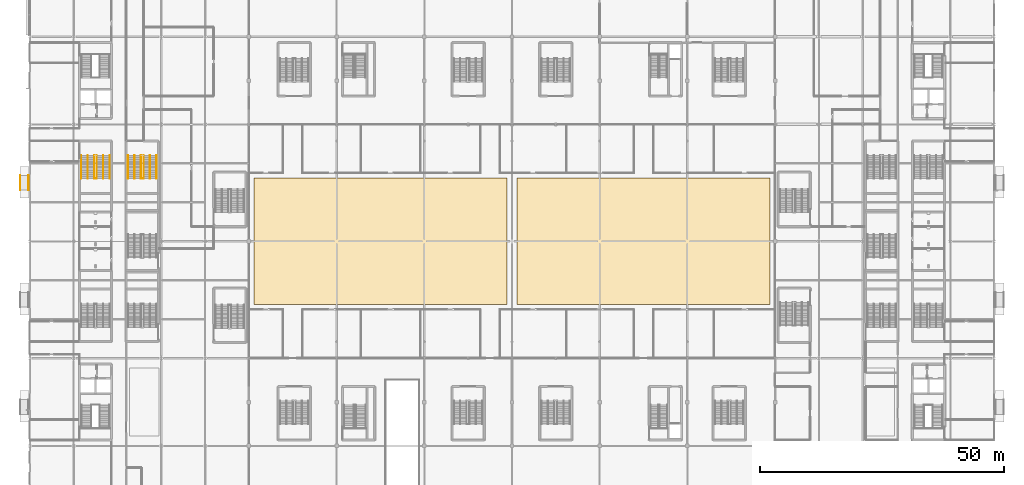
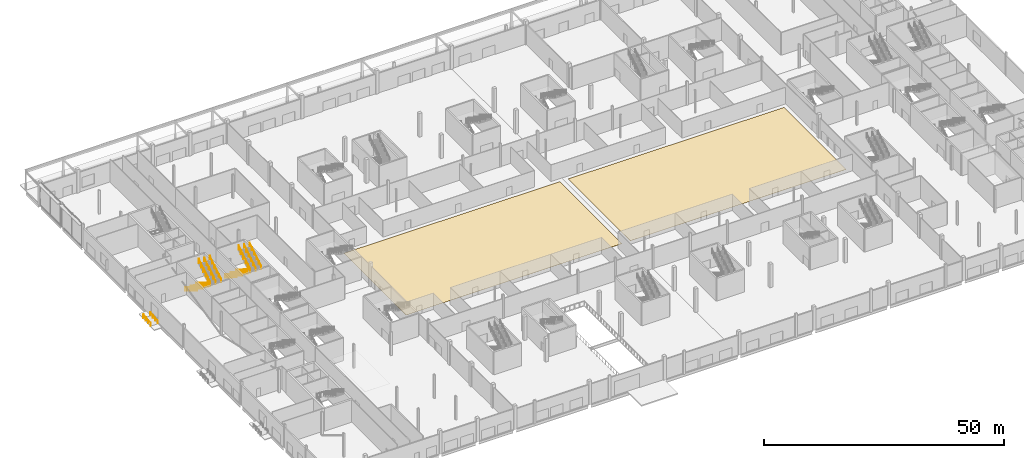
# One storey, part 72 of 84: 12 railings, 2 coverings.
"""IFC4 building model written with IfcOpenShell, lengths in metres."""

from ifc_helpers import new_model, si_unit, direction, frame, origin, origin_2d, place, context, subcontext, project, spatial, polyline, circle, outline, extrude, material, layer, layer_set, type_object, element, save


model = new_model("IFC4")

# Units and contexts
model_context = context("Model", 3, precision=1e-05, world=origin(), true_north=direction((0.0, 1.0)))
body_context = subcontext(model_context, "Body", "Model", "MODEL_VIEW")
ifc_project = project(units=[si_unit("LENGTHUNIT", "METRE"), si_unit("AREAUNIT", "SQUARE_METRE"), si_unit("VOLUMEUNIT", "CUBIC_METRE"), si_unit("PLANEANGLEUNIT", "RADIAN"), si_unit("MASSUNIT", "GRAM", prefix="KILO")], contexts=[model_context])

# Site, building, storey
site_placement = place(None, origin())
site = spatial("IfcSite", under=ifc_project, at=site_placement, CompositionType="ELEMENT")
building_placement = place(site_placement, origin())
building = spatial("IfcBuilding", under=site, at=building_placement, Name="Kisiwana Market Hall", CompositionType="ELEMENT")
storey_placement = place(building_placement, origin())
storey = spatial("IfcBuildingStorey", under=building, at=storey_placement, Name="L00", CompositionType="ELEMENT", Elevation=0.0)

# Coverings
ifc_material_1 = material(Name="Polished washable terrazzo tile")
ifc_layer = layer(ifc_material_1, 0.02001953125)
ifc_layer_set = layer_set([ifc_layer], Name="COV-FLOOR-EPOXY")
covering_type = type_object("IfcCoveringType", Name="COV-FLOOR-EPOXY", PredefinedType="FLOORING", material=ifc_layer_set)
covering_1_placement = place(storey_placement, origin())
element("IfcCovering", 1, at=covering_1_placement, inside=storey, type_object=covering_type, Name="Washable terrazzo floor finish L00-006", PredefinedType="FLOORING", context=body_context, shape_type="SweptSolid", body=[
    extrude(outline(polyline([(46.0, 47.0), (98.0, 47.0), (98.0, 73.0), (46.0, 73.0), (46.0, 47.0)])), origin(), (0.0, 0.0, 1.0), 0.02001953125),
])
covering_2_placement = place(storey_placement, origin())
element("IfcCovering", 2, at=covering_2_placement, inside=storey, type_object=covering_type, Name="Washable terrazzo floor finish L00-007", PredefinedType="FLOORING", context=body_context, shape_type="SweptSolid", body=[
    extrude(outline(polyline([(100.0, 47.0), (152.0, 47.0), (152.0, 73.0), (100.0, 73.0), (100.0, 47.0)])), origin(), (0.0, 0.0, 1.0), 0.02001953125),
])

# Railings
ifc_material_2 = material(Name="Steel S275", Category="steel")
railing_type_1 = type_object("IfcRailingType", Name="RL-GUARD-1100", PredefinedType="GUARDRAIL", material=ifc_material_2)
railing_1_placement = place(storey_placement, frame((13.219970703125, 77.639892578125, 0.0)))
element("IfcRailing", 3, at=railing_1_placement, inside=storey, type_object=railing_type_1, Name="Stair ST-W4-L00 inner-well guardrail (RL-185)", PredefinedType="GUARDRAIL", context=body_context, shape_type="SweptSolid", body=[
    extrude(circle(Radius=0.02392578125, at=origin_2d()), frame((0.0, 0.0, 1.076171875), z_axis=(0.0, -0.845995810448, 0.533189542944), x_axis=(1.0, 0.0, 0.0)), (0.0, 0.0, 1.0), 5.62646484375),
    extrude(circle(Radius=0.02392578125, at=origin_2d()), frame((0.0, -4.760009765625, 4.076171875), z_axis=(1.0, 0.0, 0.0), x_axis=(0.0, 1.0, 0.0)), (0.0, 0.0, 1.0), 0.56005859375),
    extrude(circle(Radius=0.02392578125, at=origin_2d()), frame((0.56005859375, -4.760009765625, 4.076171875), z_axis=(0.0, 0.845995810448, 0.533189542944), x_axis=(-1.0, 0.0, 0.0)), (0.0, 0.0, 1.0), 5.62646484375),
    extrude(circle(Radius=0.02099609375, at=origin_2d()), origin(), (0.0, 0.0, 1.0), 1.052001953125),
    extrude(circle(Radius=0.02099609375, at=origin_2d()), frame((0.0, -0.951904296875, 0.60009765625)), (0.0, 0.0, 1.0), 1.052001953125),
    extrude(circle(Radius=0.02099609375, at=origin_2d()), frame((0.0, -1.904052734375, 1.199951171875)), (0.0, 0.0, 1.0), 1.052001953125),
    extrude(circle(Radius=0.02099609375, at=origin_2d()), frame((0.0, -2.85595703125, 1.800048828125)), (0.0, 0.0, 1.0), 1.052001953125),
    extrude(circle(Radius=0.02099609375, at=origin_2d()), frame((0.0, -3.80810546875, 2.39990234375)), (0.0, 0.0, 1.0), 1.052001953125),
    extrude(circle(Radius=0.02099609375, at=origin_2d()), frame((0.0, -4.760009765625, 3.0)), (0.0, 0.0, 1.0), 1.052001953125),
    extrude(circle(Radius=0.02099609375, at=origin_2d()), frame((0.56005859375, -4.760009765625, 3.0)), (0.0, 0.0, 1.0), 1.052001953125),
    extrude(circle(Radius=0.02099609375, at=origin_2d()), frame((0.56005859375, -3.80810546875, 3.60009765625)), (0.0, 0.0, 1.0), 1.052001953125),
    extrude(circle(Radius=0.02099609375, at=origin_2d()), frame((0.56005859375, -2.85595703125, 4.199951171875)), (0.0, 0.0, 1.0), 1.052001953125),
    extrude(circle(Radius=0.02099609375, at=origin_2d()), frame((0.56005859375, -1.904052734375, 4.800048828125)), (0.0, 0.0, 1.0), 1.052001953125),
    extrude(circle(Radius=0.02099609375, at=origin_2d()), frame((0.56005859375, -0.951904296875, 5.39990234375)), (0.0, 0.0, 1.0), 1.052001953125),
    extrude(circle(Radius=0.02099609375, at=origin_2d()), frame((0.56005859375, 0.0, 6.0)), (0.0, 0.0, 1.0), 1.052001953125),
])
railing_2_placement = place(storey_placement, frame((22.820068359375, 77.639892578125, 0.0)))
element("IfcRailing", 4, at=railing_2_placement, inside=storey, type_object=railing_type_1, Name="Stair ST-W8-L00 inner-well guardrail (RL-215)", PredefinedType="GUARDRAIL", context=body_context, shape_type="SweptSolid", body=[
    extrude(circle(Radius=0.02392578125, at=origin_2d()), frame((0.0, 0.0, 1.076171875), z_axis=(0.0, -0.845995810448, 0.533189542944), x_axis=(1.0, 0.0, 0.0)), (0.0, 0.0, 1.0), 5.62646484375),
    extrude(circle(Radius=0.02392578125, at=origin_2d()), frame((0.0, -4.760009765625, 4.076171875), z_axis=(1.0, 0.0, 0.0), x_axis=(0.0, 1.0, 0.0)), (0.0, 0.0, 1.0), 0.559814453125),
    extrude(circle(Radius=0.02392578125, at=origin_2d()), frame((0.559814453125, -4.760009765625, 4.076171875), z_axis=(0.0, 0.845995810448, 0.533189542944), x_axis=(-1.0, 0.0, 0.0)), (0.0, 0.0, 1.0), 5.62646484375),
    extrude(circle(Radius=0.02099609375, at=origin_2d()), origin(), (0.0, 0.0, 1.0), 1.052001953125),
    extrude(circle(Radius=0.02099609375, at=origin_2d()), frame((0.0, -0.951904296875, 0.60009765625)), (0.0, 0.0, 1.0), 1.052001953125),
    extrude(circle(Radius=0.02099609375, at=origin_2d()), frame((0.0, -1.904052734375, 1.199951171875)), (0.0, 0.0, 1.0), 1.052001953125),
    extrude(circle(Radius=0.02099609375, at=origin_2d()), frame((0.0, -2.85595703125, 1.800048828125)), (0.0, 0.0, 1.0), 1.052001953125),
    extrude(circle(Radius=0.02099609375, at=origin_2d()), frame((0.0, -3.80810546875, 2.39990234375)), (0.0, 0.0, 1.0), 1.052001953125),
    extrude(circle(Radius=0.02099609375, at=origin_2d()), frame((0.0, -4.760009765625, 3.0)), (0.0, 0.0, 1.0), 1.052001953125),
    extrude(circle(Radius=0.02099609375, at=origin_2d()), frame((0.559814453125, -4.760009765625, 3.0)), (0.0, 0.0, 1.0), 1.052001953125),
    extrude(circle(Radius=0.02099609375, at=origin_2d()), frame((0.559814453125, -3.80810546875, 3.60009765625)), (0.0, 0.0, 1.0), 1.052001953125),
    extrude(circle(Radius=0.02099609375, at=origin_2d()), frame((0.559814453125, -2.85595703125, 4.199951171875)), (0.0, 0.0, 1.0), 1.052001953125),
    extrude(circle(Radius=0.02099609375, at=origin_2d()), frame((0.559814453125, -1.904052734375, 4.800048828125)), (0.0, 0.0, 1.0), 1.052001953125),
    extrude(circle(Radius=0.02099609375, at=origin_2d()), frame((0.559814453125, -0.951904296875, 5.39990234375)), (0.0, 0.0, 1.0), 1.052001953125),
    extrude(circle(Radius=0.02099609375, at=origin_2d()), frame((0.559814453125, 0.0, 6.0)), (0.0, 0.0, 1.0), 1.052001953125),
])
ifc_material_3 = material(Name="Steel S275", Category="steel")
railing_type_2 = type_object("IfcRailingType", Name="RL-HAND-900", PredefinedType="HANDRAIL", material=ifc_material_3)
for number, where, name in (
    (5, (-1.93994140625, 70.5, -0.25), "West Market North Ramp handrail L 900 RL-005"),
    (6, (-0.260009765625, 70.5, -0.25), "West Market North Ramp handrail R 900 RL-006"),
):
    element("IfcRailing", number, at=place(storey_placement, frame(where)), inside=storey, type_object=railing_type_2, Name=name, PredefinedType="HANDRAIL", context=body_context, shape_type="SweptSolid", body=[
        extrude(circle(Radius=0.02392578125, at=origin_2d()), frame((0.0, 0.0, 0.8759765625), z_axis=(0.0, 0.996545758245, 0.083045479854), x_axis=(-1.0, 0.0, 0.0)), (0.0, 0.0, 1.0), 3.010498046875),
        extrude(circle(Radius=0.02099609375, at=origin_2d()), origin(), (0.0, 0.0, 1.0), 0.851806640625),
        extrude(circle(Radius=0.02099609375, at=origin_2d()), frame((0.0, 1.0, 0.083251953125)), (0.0, 0.0, 1.0), 0.851806640625),
        extrude(circle(Radius=0.02099609375, at=origin_2d()), frame((0.0, 2.0, 0.166748046875)), (0.0, 0.0, 1.0), 0.851806640625),
        extrude(circle(Radius=0.02099609375, at=origin_2d()), frame((0.0, 3.0, 0.25)), (0.0, 0.0, 1.0), 0.851806640625),
    ])
railing_3_placement = place(storey_placement, frame((10.570068359375, 77.639892578125, 0.0)))
element("IfcRailing", 7, at=railing_3_placement, inside=storey, type_object=railing_type_2, Name="Stair ST-W4-L00 flight 1 handrail (RL-186)", PredefinedType="HANDRAIL", context=body_context, shape_type="SweptSolid", body=[
    extrude(circle(Radius=0.02392578125, at=origin_2d()), frame((0.0, 0.0, 0.8759765625), z_axis=(0.0, -0.845995810448, 0.533189542944), x_axis=(1.0, 0.0, 0.0)), (0.0, 0.0, 1.0), 5.62646484375),
    extrude(circle(Radius=0.02099609375, at=origin_2d()), origin(), (0.0, 0.0, 1.0), 0.851806640625),
    extrude(circle(Radius=0.02099609375, at=origin_2d()), frame((0.0, -0.951904296875, 0.60009765625)), (0.0, 0.0, 1.0), 0.851806640625),
    extrude(circle(Radius=0.02099609375, at=origin_2d()), frame((0.0, -1.904052734375, 1.199951171875)), (0.0, 0.0, 1.0), 0.851806640625),
    extrude(circle(Radius=0.02099609375, at=origin_2d()), frame((0.0, -2.85595703125, 1.800048828125)), (0.0, 0.0, 1.0), 0.851806640625),
    extrude(circle(Radius=0.02099609375, at=origin_2d()), frame((0.0, -3.80810546875, 2.39990234375)), (0.0, 0.0, 1.0), 0.851806640625),
    extrude(circle(Radius=0.02099609375, at=origin_2d()), frame((0.0, -4.760009765625, 3.0)), (0.0, 0.0, 1.0), 0.851806640625),
])
railing_4_placement = place(storey_placement, frame((16.429931640625, 72.8798828125, 3.0)))
element("IfcRailing", 8, at=railing_4_placement, inside=storey, type_object=railing_type_2, Name="Stair ST-W4-L00 flight 2 handrail (RL-187)", PredefinedType="HANDRAIL", context=body_context, shape_type="SweptSolid", body=[
    extrude(circle(Radius=0.02392578125, at=origin_2d()), frame((0.0, 0.0, 0.8759765625), z_axis=(0.0, 0.845995810448, 0.533189542944), x_axis=(-1.0, 0.0, 0.0)), (0.0, 0.0, 1.0), 5.62646484375),
    extrude(circle(Radius=0.02099609375, at=origin_2d()), origin(), (0.0, 0.0, 1.0), 0.851806640625),
    extrude(circle(Radius=0.02099609375, at=origin_2d()), frame((0.0, 0.951904296875, 0.60009765625)), (0.0, 0.0, 1.0), 0.851806640625),
    extrude(circle(Radius=0.02099609375, at=origin_2d()), frame((0.0, 1.904052734375, 1.199951171875)), (0.0, 0.0, 1.0), 0.851806640625),
    extrude(circle(Radius=0.02099609375, at=origin_2d()), frame((0.0, 2.85595703125, 1.800048828125)), (0.0, 0.0, 1.0), 0.851806640625),
    extrude(circle(Radius=0.02099609375, at=origin_2d()), frame((0.0, 3.80810546875, 2.39990234375)), (0.0, 0.0, 1.0), 0.851806640625),
    extrude(circle(Radius=0.02099609375, at=origin_2d()), frame((0.0, 4.760009765625, 3.0)), (0.0, 0.0, 1.0), 0.851806640625),
])
railing_5_placement = place(storey_placement, frame((11.889892578125, 77.639892578125, 0.0)))
element("IfcRailing", 9, at=railing_5_placement, inside=storey, type_object=railing_type_2, Name="Stair ST-W4-L00 flight 1 intermediate handrail (RL-188)", PredefinedType="HANDRAIL", context=body_context, shape_type="SweptSolid", body=[
    extrude(circle(Radius=0.02392578125, at=origin_2d()), frame((0.0, 0.0, 0.8759765625), z_axis=(0.0, -0.845995810448, 0.533189542944), x_axis=(1.0, 0.0, 0.0)), (0.0, 0.0, 1.0), 5.62646484375),
    extrude(circle(Radius=0.02099609375, at=origin_2d()), origin(), (0.0, 0.0, 1.0), 0.851806640625),
    extrude(circle(Radius=0.02099609375, at=origin_2d()), frame((0.0, -0.951904296875, 0.60009765625)), (0.0, 0.0, 1.0), 0.851806640625),
    extrude(circle(Radius=0.02099609375, at=origin_2d()), frame((0.0, -1.904052734375, 1.199951171875)), (0.0, 0.0, 1.0), 0.851806640625),
    extrude(circle(Radius=0.02099609375, at=origin_2d()), frame((0.0, -2.85595703125, 1.800048828125)), (0.0, 0.0, 1.0), 0.851806640625),
    extrude(circle(Radius=0.02099609375, at=origin_2d()), frame((0.0, -3.80810546875, 2.39990234375)), (0.0, 0.0, 1.0), 0.851806640625),
    extrude(circle(Radius=0.02099609375, at=origin_2d()), frame((0.0, -4.760009765625, 3.0)), (0.0, 0.0, 1.0), 0.851806640625),
])
railing_6_placement = place(storey_placement, frame((15.110107421875, 72.8798828125, 3.0)))
element("IfcRailing", 10, at=railing_6_placement, inside=storey, type_object=railing_type_2, Name="Stair ST-W4-L00 flight 2 intermediate handrail (RL-189)", PredefinedType="HANDRAIL", context=body_context, shape_type="SweptSolid", body=[
    extrude(circle(Radius=0.02392578125, at=origin_2d()), frame((0.0, 0.0, 0.8759765625), z_axis=(0.0, 0.845995810448, 0.533189542944), x_axis=(-1.0, 0.0, 0.0)), (0.0, 0.0, 1.0), 5.62646484375),
    extrude(circle(Radius=0.02099609375, at=origin_2d()), origin(), (0.0, 0.0, 1.0), 0.851806640625),
    extrude(circle(Radius=0.02099609375, at=origin_2d()), frame((0.0, 0.951904296875, 0.60009765625)), (0.0, 0.0, 1.0), 0.851806640625),
    extrude(circle(Radius=0.02099609375, at=origin_2d()), frame((0.0, 1.904052734375, 1.199951171875)), (0.0, 0.0, 1.0), 0.851806640625),
    extrude(circle(Radius=0.02099609375, at=origin_2d()), frame((0.0, 2.85595703125, 1.800048828125)), (0.0, 0.0, 1.0), 0.851806640625),
    extrude(circle(Radius=0.02099609375, at=origin_2d()), frame((0.0, 3.80810546875, 2.39990234375)), (0.0, 0.0, 1.0), 0.851806640625),
    extrude(circle(Radius=0.02099609375, at=origin_2d()), frame((0.0, 4.760009765625, 3.0)), (0.0, 0.0, 1.0), 0.851806640625),
])
railing_7_placement = place(storey_placement, frame((20.169921875, 77.639892578125, 0.0)))
element("IfcRailing", 11, at=railing_7_placement, inside=storey, type_object=railing_type_2, Name="Stair ST-W8-L00 flight 1 handrail (RL-216)", PredefinedType="HANDRAIL", context=body_context, shape_type="SweptSolid", body=[
    extrude(circle(Radius=0.02392578125, at=origin_2d()), frame((0.0, 0.0, 0.8759765625), z_axis=(0.0, -0.845995810448, 0.533189542944), x_axis=(1.0, 0.0, 0.0)), (0.0, 0.0, 1.0), 5.62646484375),
    extrude(circle(Radius=0.02099609375, at=origin_2d()), origin(), (0.0, 0.0, 1.0), 0.851806640625),
    extrude(circle(Radius=0.02099609375, at=origin_2d()), frame((0.0, -0.951904296875, 0.60009765625)), (0.0, 0.0, 1.0), 0.851806640625),
    extrude(circle(Radius=0.02099609375, at=origin_2d()), frame((0.0, -1.904052734375, 1.199951171875)), (0.0, 0.0, 1.0), 0.851806640625),
    extrude(circle(Radius=0.02099609375, at=origin_2d()), frame((0.0, -2.85595703125, 1.800048828125)), (0.0, 0.0, 1.0), 0.851806640625),
    extrude(circle(Radius=0.02099609375, at=origin_2d()), frame((0.0, -3.80810546875, 2.39990234375)), (0.0, 0.0, 1.0), 0.851806640625),
    extrude(circle(Radius=0.02099609375, at=origin_2d()), frame((0.0, -4.760009765625, 3.0)), (0.0, 0.0, 1.0), 0.851806640625),
])
railing_8_placement = place(storey_placement, frame((26.030029296875, 72.8798828125, 3.0)))
element("IfcRailing", 12, at=railing_8_placement, inside=storey, type_object=railing_type_2, Name="Stair ST-W8-L00 flight 2 handrail (RL-217)", PredefinedType="HANDRAIL", context=body_context, shape_type="SweptSolid", body=[
    extrude(circle(Radius=0.02392578125, at=origin_2d()), frame((0.0, 0.0, 0.8759765625), z_axis=(0.0, 0.845995810448, 0.533189542944), x_axis=(-1.0, 0.0, 0.0)), (0.0, 0.0, 1.0), 5.62646484375),
    extrude(circle(Radius=0.02099609375, at=origin_2d()), origin(), (0.0, 0.0, 1.0), 0.851806640625),
    extrude(circle(Radius=0.02099609375, at=origin_2d()), frame((0.0, 0.951904296875, 0.60009765625)), (0.0, 0.0, 1.0), 0.851806640625),
    extrude(circle(Radius=0.02099609375, at=origin_2d()), frame((0.0, 1.904052734375, 1.199951171875)), (0.0, 0.0, 1.0), 0.851806640625),
    extrude(circle(Radius=0.02099609375, at=origin_2d()), frame((0.0, 2.85595703125, 1.800048828125)), (0.0, 0.0, 1.0), 0.851806640625),
    extrude(circle(Radius=0.02099609375, at=origin_2d()), frame((0.0, 3.80810546875, 2.39990234375)), (0.0, 0.0, 1.0), 0.851806640625),
    extrude(circle(Radius=0.02099609375, at=origin_2d()), frame((0.0, 4.760009765625, 3.0)), (0.0, 0.0, 1.0), 0.851806640625),
])
railing_9_placement = place(storey_placement, frame((21.489990234375, 77.639892578125, 0.0)))
element("IfcRailing", 13, at=railing_9_placement, inside=storey, type_object=railing_type_2, Name="Stair ST-W8-L00 flight 1 intermediate handrail (RL-218)", PredefinedType="HANDRAIL", context=body_context, shape_type="SweptSolid", body=[
    extrude(circle(Radius=0.02392578125, at=origin_2d()), frame((0.0, 0.0, 0.8759765625), z_axis=(0.0, -0.845995810448, 0.533189542944), x_axis=(1.0, 0.0, 0.0)), (0.0, 0.0, 1.0), 5.62646484375),
    extrude(circle(Radius=0.02099609375, at=origin_2d()), origin(), (0.0, 0.0, 1.0), 0.851806640625),
    extrude(circle(Radius=0.02099609375, at=origin_2d()), frame((0.0, -0.951904296875, 0.60009765625)), (0.0, 0.0, 1.0), 0.851806640625),
    extrude(circle(Radius=0.02099609375, at=origin_2d()), frame((0.0, -1.904052734375, 1.199951171875)), (0.0, 0.0, 1.0), 0.851806640625),
    extrude(circle(Radius=0.02099609375, at=origin_2d()), frame((0.0, -2.85595703125, 1.800048828125)), (0.0, 0.0, 1.0), 0.851806640625),
    extrude(circle(Radius=0.02099609375, at=origin_2d()), frame((0.0, -3.80810546875, 2.39990234375)), (0.0, 0.0, 1.0), 0.851806640625),
    extrude(circle(Radius=0.02099609375, at=origin_2d()), frame((0.0, -4.760009765625, 3.0)), (0.0, 0.0, 1.0), 0.851806640625),
])
railing_10_placement = place(storey_placement, frame((24.7099609375, 72.8798828125, 3.0)))
element("IfcRailing", 14, at=railing_10_placement, inside=storey, type_object=railing_type_2, Name="Stair ST-W8-L00 flight 2 intermediate handrail (RL-219)", PredefinedType="HANDRAIL", context=body_context, shape_type="SweptSolid", body=[
    extrude(circle(Radius=0.02392578125, at=origin_2d()), frame((0.0, 0.0, 0.8759765625), z_axis=(0.0, 0.845995810448, 0.533189542944), x_axis=(-1.0, 0.0, 0.0)), (0.0, 0.0, 1.0), 5.62646484375),
    extrude(circle(Radius=0.02099609375, at=origin_2d()), origin(), (0.0, 0.0, 1.0), 0.851806640625),
    extrude(circle(Radius=0.02099609375, at=origin_2d()), frame((0.0, 0.951904296875, 0.60009765625)), (0.0, 0.0, 1.0), 0.851806640625),
    extrude(circle(Radius=0.02099609375, at=origin_2d()), frame((0.0, 1.904052734375, 1.199951171875)), (0.0, 0.0, 1.0), 0.851806640625),
    extrude(circle(Radius=0.02099609375, at=origin_2d()), frame((0.0, 2.85595703125, 1.800048828125)), (0.0, 0.0, 1.0), 0.851806640625),
    extrude(circle(Radius=0.02099609375, at=origin_2d()), frame((0.0, 3.80810546875, 2.39990234375)), (0.0, 0.0, 1.0), 0.851806640625),
    extrude(circle(Radius=0.02099609375, at=origin_2d()), frame((0.0, 4.760009765625, 3.0)), (0.0, 0.0, 1.0), 0.851806640625),
])

save(model, "model.ifc")
